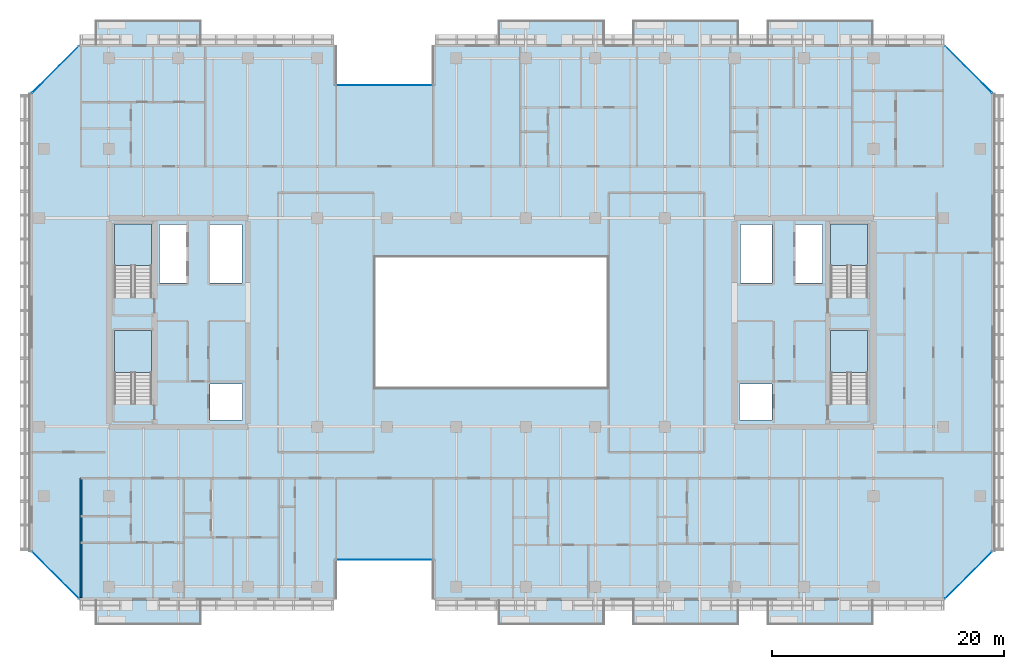
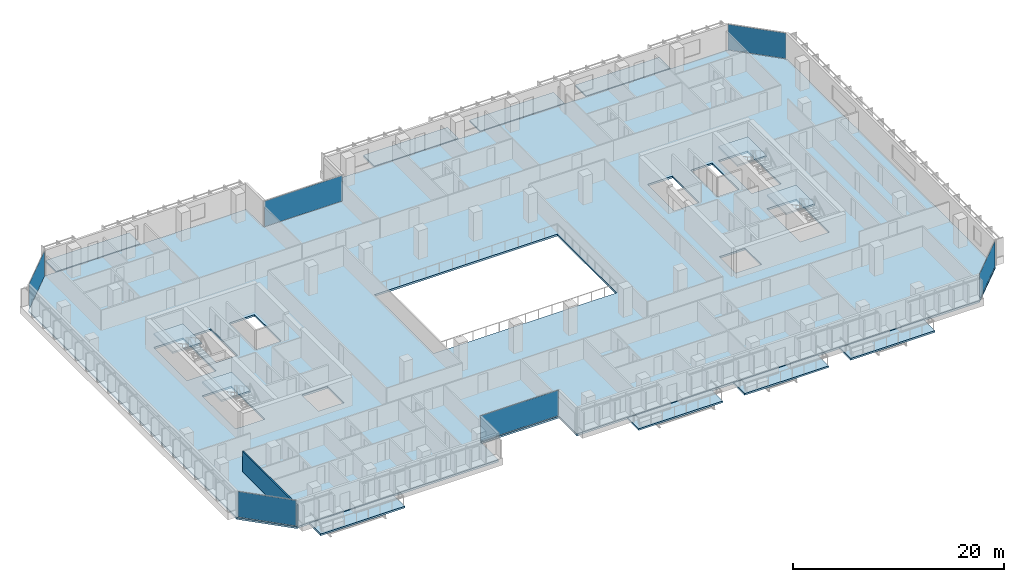
# One storey, part 22 of 35: 13 slabs, 6 plates, 1 wall, 10 elements without a shape of their own.
"""IFC4 building model written with IfcOpenShell, lengths in metres."""

from ifc_helpers import new_model, si_unit, direction, frame, frame_2d, origin, origin_2d, place, context, subcontext, project, spatial, polyline, rectangle, outline, extrude, material, layer, layer_set, type_object, element, aggregate, save


model = new_model("IFC4")

# Units and contexts
model_context = context("Model", 3, precision=1e-05, world=origin(), true_north=direction((0.0, 1.0)))
body_context = subcontext(model_context, "Body", "Model", "MODEL_VIEW")
ifc_project = project(units=[si_unit("LENGTHUNIT", "METRE"), si_unit("AREAUNIT", "SQUARE_METRE"), si_unit("VOLUMEUNIT", "CUBIC_METRE"), si_unit("PLANEANGLEUNIT", "RADIAN"), si_unit("MASSUNIT", "GRAM", prefix="KILO")], contexts=[model_context])

# Site, building, storey
site_placement = place(None, origin())
site = spatial("IfcSite", under=ifc_project, at=site_placement, CompositionType="ELEMENT")
building_placement = place(site_placement, origin())
building = spatial("IfcBuilding", under=site, at=building_placement, Name="Tanjung Sevakor Pilgrim Tower", CompositionType="ELEMENT")
storey_placement = place(building_placement, frame((0.0, 0.0, 92.070068359375)))
storey = spatial("IfcBuildingStorey", under=building, at=storey_placement, Name="L25", CompositionType="ELEMENT", Elevation=92.070068359375)

# Slabs
ifc_material_1 = material(Name="Concrete C40/50", Category="concrete")
ifc_layer_1 = layer(ifc_material_1, 0.199951171875)
ifc_layer_set_1 = layer_set([ifc_layer_1], Name="SL-BAL-200")
slab_type_1 = type_object("IfcSlabType", Name="SL-BAL-200", PredefinedType="FLOOR", material=ifc_layer_set_1)
slab_1_placement = place(storey_placement, frame((0.0, 0.0, -0.199951171875)))
element("IfcSlab", 1, at=slab_1_placement, inside=storey, type_object=slab_type_1, Name="L25 Planted Loggia Balcony MAIN-S1", PredefinedType="FLOOR", context=body_context, shape_type="SweptSolid", body=[
    extrude(outline(polyline([(22.800048828125, 7.5), (32.0, 7.5), (32.0, 9.60009765625), (22.800048828125, 9.60009765625), (22.800048828125, 7.5)])), origin(), (0.0, 0.0, 1.0), 0.199951171875),
])
slab_2_placement = place(storey_placement, frame((0.0, 0.0, -0.199951171875)))
element("IfcSlab", 2, at=slab_2_placement, inside=storey, type_object=slab_type_1, Name="L25 Planted Loggia Balcony MAIN-N1", PredefinedType="FLOOR", context=body_context, shape_type="SweptSolid", body=[
    extrude(outline(polyline([(22.800048828125, 57.60009765625), (32.0, 57.60009765625), (32.0, 59.699951171875), (22.800048828125, 59.699951171875), (22.800048828125, 57.60009765625)])), origin(), (0.0, 0.0, 1.0), 0.199951171875),
])
slab_3_placement = place(storey_placement, frame((0.0, 0.0, -0.199951171875)))
element("IfcSlab", 3, at=slab_3_placement, inside=storey, type_object=slab_type_1, Name="L25 Planted Loggia Balcony MAIN-S2", PredefinedType="FLOOR", context=body_context, shape_type="SweptSolid", body=[
    extrude(outline(polyline([(57.60009765625, 7.5), (66.800048828125, 7.5), (66.800048828125, 9.60009765625), (57.60009765625, 9.60009765625), (57.60009765625, 7.5)])), origin(), (0.0, 0.0, 1.0), 0.199951171875),
])
slab_4_placement = place(storey_placement, frame((0.0, 0.0, -0.199951171875)))
element("IfcSlab", 4, at=slab_4_placement, inside=storey, type_object=slab_type_1, Name="L25 Planted Loggia Balcony MAIN-N2", PredefinedType="FLOOR", context=body_context, shape_type="SweptSolid", body=[
    extrude(outline(polyline([(57.60009765625, 57.60009765625), (66.800048828125, 57.60009765625), (66.800048828125, 59.699951171875), (57.60009765625, 59.699951171875), (57.60009765625, 57.60009765625)])), origin(), (0.0, 0.0, 1.0), 0.199951171875),
])
slab_5_placement = place(storey_placement, frame((0.0, 0.0, -0.199951171875)))
element("IfcSlab", 5, at=slab_5_placement, inside=storey, type_object=slab_type_1, Name="L25 Planted Loggia Balcony MAIN-S3", PredefinedType="FLOOR", context=body_context, shape_type="SweptSolid", body=[
    extrude(outline(polyline([(69.199951171875, 7.5), (78.39990234375, 7.5), (78.39990234375, 9.60009765625), (69.199951171875, 9.60009765625), (69.199951171875, 7.5)])), origin(), (0.0, 0.0, 1.0), 0.199951171875),
])
slab_6_placement = place(storey_placement, frame((0.0, 0.0, -0.199951171875)))
element("IfcSlab", 6, at=slab_6_placement, inside=storey, type_object=slab_type_1, Name="L25 Planted Loggia Balcony MAIN-N3", PredefinedType="FLOOR", context=body_context, shape_type="SweptSolid", body=[
    extrude(outline(polyline([(69.199951171875, 57.60009765625), (78.39990234375, 57.60009765625), (78.39990234375, 59.699951171875), (69.199951171875, 59.699951171875), (69.199951171875, 57.60009765625)])), origin(), (0.0, 0.0, 1.0), 0.199951171875),
])
slab_7_placement = place(storey_placement, frame((0.0, 0.0, -0.199951171875)))
element("IfcSlab", 7, at=slab_7_placement, inside=storey, type_object=slab_type_1, Name="L25 Planted Loggia Balcony MAIN-S4", PredefinedType="FLOOR", context=body_context, shape_type="SweptSolid", body=[
    extrude(outline(polyline([(80.800048828125, 7.5), (90.0, 7.5), (90.0, 9.60009765625), (80.800048828125, 9.60009765625), (80.800048828125, 7.5)])), origin(), (0.0, 0.0, 1.0), 0.199951171875),
])
slab_8_placement = place(storey_placement, frame((0.0, 0.0, -0.199951171875)))
element("IfcSlab", 8, at=slab_8_placement, inside=storey, type_object=slab_type_1, Name="L25 Planted Loggia Balcony MAIN-N4", PredefinedType="FLOOR", context=body_context, shape_type="SweptSolid", body=[
    extrude(outline(polyline([(80.800048828125, 57.60009765625), (90.0, 57.60009765625), (90.0, 59.699951171875), (80.800048828125, 59.699951171875), (80.800048828125, 57.60009765625)])), origin(), (0.0, 0.0, 1.0), 0.199951171875),
])

# Stair, slab
ifc_material_2 = material(Name="Concrete C40/50", Category="concrete")
stair_type = type_object("IfcStairType", Name="STAIR-ST-CR150", PredefinedType="HALF_TURN_STAIR", material=ifc_material_2)
stair_1_placement = place(storey_placement, origin())
stair_1 = element("IfcStair", 9, at=stair_1_placement, inside=storey, type_object=stair_type, Name="L25 West Core Exit Stair 1", PredefinedType="HALF_TURN_STAIR")
ifc_material_3 = material(Name="Concrete C40/50", Category="concrete")
ifc_layer_2 = layer(ifc_material_3, 0.199951171875)
ifc_layer_set_2 = layer_set([ifc_layer_2], Name="SL-LAND-200")
slab_type_2 = type_object("IfcSlabType", Name="SL-LAND-200", PredefinedType="LANDING", material=ifc_layer_set_2)
slab_9_placement = place(storey_placement, frame((0.0, 0.0, 1.449951171875)))
slab_9 = element("IfcSlab", 10, at=slab_9_placement, type_object=slab_type_2, Name="TS-W1 landing 1", PredefinedType="LANDING", context=body_context, shape_type="SweptSolid", body=[
    extrude(outline(polyline([(27.699951171875, 29.300048828125), (27.699951171875, 32.89990234375), (24.5, 32.89990234375), (24.5, 29.300048828125), (27.699951171875, 29.300048828125)])), origin(), (0.0, 0.0, 1.0), 0.199951171875),
])
aggregate(stair_1, [slab_9])

stair_2_placement = place(storey_placement, origin())
stair_2 = element("IfcStair", 11, at=stair_2_placement, inside=storey, type_object=stair_type, Name="L25 West Core Exit Stair 2", PredefinedType="HALF_TURN_STAIR")
slab_10_placement = place(storey_placement, frame((0.0, 0.0, 1.449951171875)))
slab_10 = element("IfcSlab", 12, at=slab_10_placement, type_object=slab_type_2, Name="TS-W2 landing 1", PredefinedType="LANDING", context=body_context, shape_type="SweptSolid", body=[
    extrude(outline(polyline([(27.699951171875, 38.5), (27.699951171875, 42.10009765625), (24.5, 42.10009765625), (24.5, 38.5), (27.699951171875, 38.5)])), origin(), (0.0, 0.0, 1.0), 0.199951171875),
])
aggregate(stair_2, [slab_10])

stair_3_placement = place(storey_placement, origin())
stair_3 = element("IfcStair", 13, at=stair_3_placement, inside=storey, type_object=stair_type, Name="L25 East Core Exit Stair 1", PredefinedType="HALF_TURN_STAIR")
slab_11_placement = place(storey_placement, frame((0.0, 0.0, 1.449951171875)))
slab_11 = element("IfcSlab", 14, at=slab_11_placement, type_object=slab_type_2, Name="TS-E1 landing 1", PredefinedType="LANDING", context=body_context, shape_type="SweptSolid", body=[
    extrude(outline(polyline([(89.5, 29.300048828125), (89.5, 32.89990234375), (86.300048828125, 32.89990234375), (86.300048828125, 29.300048828125), (89.5, 29.300048828125)])), origin(), (0.0, 0.0, 1.0), 0.199951171875),
])
aggregate(stair_3, [slab_11])

stair_4_placement = place(storey_placement, origin())
stair_4 = element("IfcStair", 15, at=stair_4_placement, inside=storey, type_object=stair_type, Name="L25 East Core Exit Stair 2", PredefinedType="HALF_TURN_STAIR")
slab_12_placement = place(storey_placement, frame((0.0, 0.0, 1.449951171875)))
slab_12 = element("IfcSlab", 16, at=slab_12_placement, type_object=slab_type_2, Name="TS-E2 landing 1", PredefinedType="LANDING", context=body_context, shape_type="SweptSolid", body=[
    extrude(outline(polyline([(89.5, 38.5), (89.5, 42.10009765625), (86.300048828125, 42.10009765625), (86.300048828125, 38.5), (89.5, 38.5)])), origin(), (0.0, 0.0, 1.0), 0.199951171875),
])
aggregate(stair_4, [slab_12])

# Slab
ifc_material_4 = material(Name="Concrete C40/50", Category="concrete")
ifc_layer_3 = layer(ifc_material_4, 0.219970703125)
ifc_layer_set_3 = layer_set([ifc_layer_3], Name="SL-TWR-220")
slab_type_3 = type_object("IfcSlabType", Name="SL-TWR-220", PredefinedType="FLOOR", material=ifc_layer_set_3)
slab_13_placement = place(storey_placement, frame((0.0, 0.0, -0.219970703125)))
element("IfcSlab", 17, at=slab_13_placement, inside=storey, type_object=slab_type_3, Name="L25 Floor Slab MAIN", PredefinedType="FLOOR", context=body_context, shape_type="SweptSolid", body=[
    extrude(outline(polyline([(21.447021484375, 9.679931640625), (43.52001953125, 9.679931640625), (43.52001953125, 13.080078125), (52.080078125, 13.080078125), (52.080078125, 9.679931640625), (96.153076171875, 9.679931640625), (100.320068359375, 13.846923828125), (100.320068359375, 53.35302734375), (96.153076171875, 57.52001953125), (52.080078125, 57.52001953125), (52.080078125, 54.1201171875), (43.52001953125, 54.1201171875), (43.52001953125, 57.52001953125), (21.447021484375, 57.52001953125), (17.280029296875, 53.35302734375), (17.280029296875, 13.846923828125), (21.447021484375, 9.679931640625)]), holes=[polyline([(27.699951171875, 26.60009765625), (27.699951171875, 32.89990234375), (24.5, 32.89990234375), (24.5, 26.60009765625), (27.699951171875, 26.60009765625)]), polyline([(27.699951171875, 35.800048828125), (27.699951171875, 42.10009765625), (24.5, 42.10009765625), (24.5, 35.800048828125), (27.699951171875, 35.800048828125)]), polyline([(89.5, 26.60009765625), (89.5, 32.89990234375), (86.300048828125, 32.89990234375), (86.300048828125, 26.60009765625), (89.5, 26.60009765625)]), polyline([(89.5, 35.800048828125), (89.5, 42.10009765625), (86.300048828125, 42.10009765625), (86.300048828125, 35.800048828125), (89.5, 35.800048828125)]), polyline([(32.75, 25.199951171875), (35.550048828125, 25.199951171875), (35.550048828125, 28.300048828125), (32.75, 28.300048828125), (32.75, 25.199951171875)]), polyline([(28.39990234375, 37.0), (30.75, 37.0), (30.75, 42.050048828125), (28.39990234375, 42.050048828125), (28.39990234375, 37.0)]), polyline([(32.75, 37.0), (35.5, 37.0), (35.5, 42.050048828125), (32.75, 42.050048828125), (32.75, 37.0)]), polyline([(78.449951171875, 25.199951171875), (81.25, 25.199951171875), (81.25, 28.300048828125), (78.449951171875, 28.300048828125), (78.449951171875, 25.199951171875)]), polyline([(83.25, 37.0), (85.60009765625, 37.0), (85.60009765625, 42.050048828125), (83.25, 42.050048828125), (83.25, 37.0)]), polyline([(78.5, 37.0), (81.25, 37.0), (81.25, 42.050048828125), (78.5, 42.050048828125), (78.5, 37.0)]), polyline([(47.0, 28.0), (67.0, 28.0), (67.0, 39.199951171875), (47.0, 39.199951171875), (47.0, 28.0)])]), origin(), (0.0, 0.0, 1.0), 0.219970703125),
])

# Curtain wall, plate
ifc_material_5 = material(Name="Aluminium 6063-T6 and Low-E Glass", Category="aluminium")
ifc_layer_4 = layer(ifc_material_5, 0.179931640625)
ifc_layer_set_4 = layer_set([ifc_layer_4], Name="CW-SYS-CLEFT")
curtain_wall_type_1 = type_object("IfcCurtainWallType", Name="CW-SYS-CLEFT", PredefinedType="NOTDEFINED", material=ifc_layer_set_4)
curtain_wall_1_placement = place(storey_placement, origin())
curtain_wall_1 = element("IfcCurtainWall", 18, at=curtain_wall_1_placement, inside=storey, type_object=curtain_wall_type_1, Name="L25 Curtain Wall CW-CLF-L25-2", PredefinedType="NOTDEFINED")
ifc_material_6 = material(Name="Laminated Low-E Double Glazing", Category="glass")
ifc_layer_5 = layer(ifc_material_6, 0.028076171875)
ifc_layer_set_5 = layer_set([ifc_layer_5], Name="TYPE-CWP-GLZ1")
plate_type = type_object("IfcPlateType", Name="TYPE-CWP-GLZ1", PredefinedType="CURTAIN_PANEL", material=ifc_layer_set_5)
plate_1_placement = place(storey_placement, frame((47.800048828125, 13.125, 0.06494140625), z_axis=(0.0, 0.0, 1.0), x_axis=(1.0, 0.0, 0.0)))
plate_1 = element("IfcPlate", 19, at=plate_1_placement, type_object=plate_type, Name="CW-CLF panel 1.1", PredefinedType="CURTAIN_PANEL", context=body_context, shape_type="SweptSolid", body=[
    extrude(rectangle(XDim=8.5, YDim=0.028076171875, at=origin_2d()), origin(), (0.0, 0.0, 1.0), 2.949951171875),
])
aggregate(curtain_wall_1, [plate_1])

ifc_material_7 = material(Name="Aluminium 6063-T6 and Low-E Glass", Category="aluminium")
ifc_layer_6 = layer(ifc_material_7, 0.179931640625)
ifc_layer_set_6 = layer_set([ifc_layer_6], Name="CW-SYS-CHAM")
curtain_wall_type_2 = type_object("IfcCurtainWallType", Name="CW-SYS-CHAM", PredefinedType="NOTDEFINED", material=ifc_layer_set_6)
curtain_wall_2_placement = place(storey_placement, origin())
curtain_wall_2 = element("IfcCurtainWall", 20, at=curtain_wall_2_placement, inside=storey, type_object=curtain_wall_type_2, Name="L25 Curtain Wall CW-CHM-L25-MAIN-5", PredefinedType="NOTDEFINED")
plate_2_placement = place(storey_placement, frame((98.211669921875, 11.788330078125, 0.06494140625), z_axis=(0.0, 0.0, 1.0), x_axis=(0.707106781187, 0.707106781187, 0.0)))
plate_2 = element("IfcPlate", 21, at=plate_2_placement, type_object=plate_type, Name="CW-CHM panel 1.1", PredefinedType="CURTAIN_PANEL", context=body_context, shape_type="SweptSolid", body=[
    extrude(rectangle(XDim=5.7060546875, YDim=0.028076171875, at=origin_2d()), origin(), (0.0, 0.0, 1.0), 2.949951171875),
])
aggregate(curtain_wall_2, [plate_2])

curtain_wall_3_placement = place(storey_placement, origin())
curtain_wall_3 = element("IfcCurtainWall", 22, at=curtain_wall_3_placement, inside=storey, type_object=curtain_wall_type_2, Name="L25 Curtain Wall CW-CHM-L25-MAIN-7", PredefinedType="NOTDEFINED")
plate_3_placement = place(storey_placement, frame((98.211669921875, 55.41162109375, 0.06494140625), z_axis=(0.0, 0.0, 1.0), x_axis=(-0.707106781187, 0.707106781187, 0.0)))
plate_3 = element("IfcPlate", 23, at=plate_3_placement, type_object=plate_type, Name="CW-CHM panel 1.1", PredefinedType="CURTAIN_PANEL", context=body_context, shape_type="SweptSolid", body=[
    extrude(rectangle(XDim=5.7060546875, YDim=0.028076171875, at=origin_2d()), origin(), (0.0, 0.0, 1.0), 2.949951171875),
])
aggregate(curtain_wall_3, [plate_3])

curtain_wall_4_placement = place(storey_placement, origin())
curtain_wall_4 = element("IfcCurtainWall", 24, at=curtain_wall_4_placement, inside=storey, type_object=curtain_wall_type_1, Name="L25 Curtain Wall CW-CLF-L25-10", PredefinedType="NOTDEFINED")
plate_4_placement = place(storey_placement, frame((47.800048828125, 54.074951171875, 0.06494140625), z_axis=(0.0, 0.0, 1.0), x_axis=(-1.0, 0.0, 0.0)))
plate_4 = element("IfcPlate", 25, at=plate_4_placement, type_object=plate_type, Name="CW-CLF panel 1.1", PredefinedType="CURTAIN_PANEL", context=body_context, shape_type="SweptSolid", body=[
    extrude(rectangle(XDim=8.5, YDim=0.028076171875, at=origin_2d()), origin(), (0.0, 0.0, 1.0), 2.949951171875),
])
aggregate(curtain_wall_4, [plate_4])

curtain_wall_5_placement = place(storey_placement, origin())
curtain_wall_5 = element("IfcCurtainWall", 26, at=curtain_wall_5_placement, inside=storey, type_object=curtain_wall_type_2, Name="L25 Curtain Wall CW-CHM-L25-MAIN-13", PredefinedType="NOTDEFINED")
plate_5_placement = place(storey_placement, frame((19.388427734375, 55.41162109375, 0.06494140625), z_axis=(0.0, 0.0, 1.0), x_axis=(-0.707106781187, -0.707106781187, 0.0)))
plate_5 = element("IfcPlate", 27, at=plate_5_placement, type_object=plate_type, Name="CW-CHM panel 1.1", PredefinedType="CURTAIN_PANEL", context=body_context, shape_type="SweptSolid", body=[
    extrude(rectangle(XDim=5.7060546875, YDim=0.028076171875, at=origin_2d()), origin(), (0.0, 0.0, 1.0), 2.949951171875),
])
aggregate(curtain_wall_5, [plate_5])

curtain_wall_6_placement = place(storey_placement, origin())
curtain_wall_6 = element("IfcCurtainWall", 28, at=curtain_wall_6_placement, inside=storey, type_object=curtain_wall_type_2, Name="L25 Curtain Wall CW-CHM-L25-MAIN-15", PredefinedType="NOTDEFINED")
plate_6_placement = place(storey_placement, frame((19.388427734375, 11.788330078125, 0.06494140625), z_axis=(0.0, 0.0, 1.0), x_axis=(0.707106781187, -0.707106781187, 0.0)))
plate_6 = element("IfcPlate", 29, at=plate_6_placement, type_object=plate_type, Name="CW-CHM panel 1.1", PredefinedType="CURTAIN_PANEL", context=body_context, shape_type="SweptSolid", body=[
    extrude(rectangle(XDim=5.7060546875, YDim=0.028076171875, at=origin_2d()), origin(), (0.0, 0.0, 1.0), 2.949951171875),
])
aggregate(curtain_wall_6, [plate_6])

# Wall
ifc_material_8 = material(Name="Concrete C40/50", Category="concrete")
ifc_layer_7 = layer(ifc_material_8, 0.14990234375)
ifc_layer_set_7 = layer_set([ifc_layer_7], Name="WT-COMP-150")
wall_type = type_object("IfcWallType", Name="WT-COMP-150", PredefinedType="SOLIDWALL", material=ifc_layer_set_7)
wall_placement = place(storey_placement, frame((21.60009765625, 9.85009765625, 0.0), z_axis=(0.0, 0.0, 1.0), x_axis=(0.0, 1.0, 0.0)))
element("IfcWall", 30, at=wall_placement, inside=storey, type_object=wall_type, Name="L25 Partition IW-L25-043", PredefinedType="SOLIDWALL", context=body_context, shape_type="SweptSolid", body=[
    extrude(rectangle(XDim=10.2998046875, YDim=0.14990234375, at=frame_2d((5.14990234375, 0.0))), origin(), (0.0, 0.0, 1.0), 2.35009765625),
])

save(model, "model.ifc")
